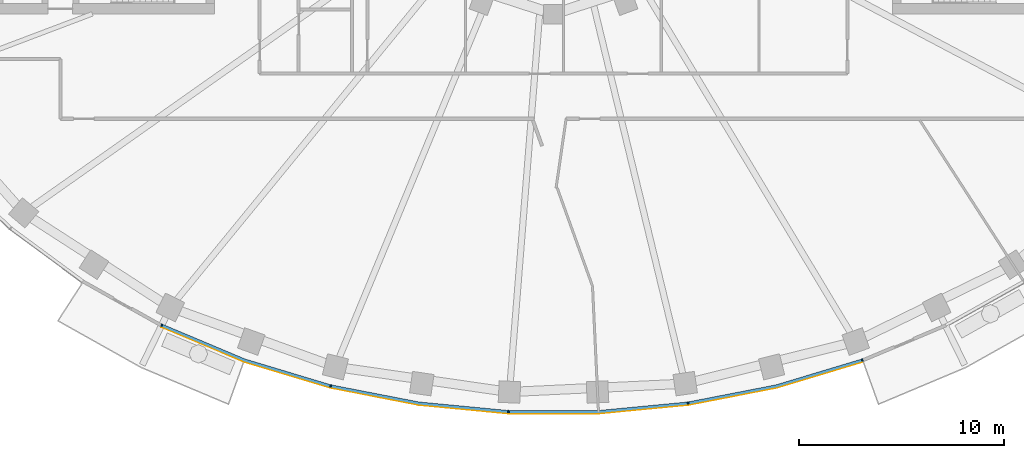
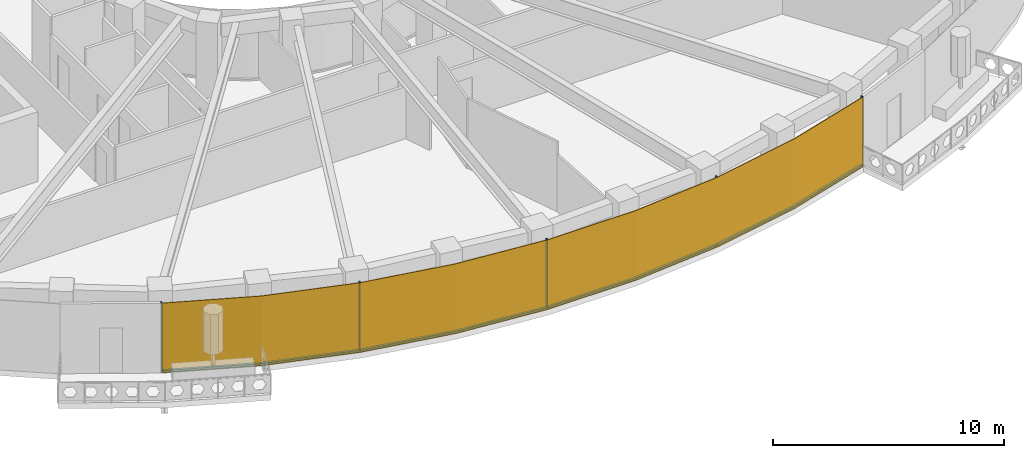
# One storey, part 9 of 15: 9 members, 1 curtain wall.
"""IFC4 building model written with IfcOpenShell, lengths in metres."""

from ifc_helpers import new_model, si_unit, direction, frame, origin, origin_2d, place, context, subcontext, project, spatial, polyline, rectangle, outline, extrude, material, layer, layer_set, material_profile, profile_set, type_object, element, aggregate, save


model = new_model("IFC4")

# Units and contexts
model_context = context("Model", 3, precision=1e-05, world=origin(), true_north=direction((0.0, 1.0)))
body_context = subcontext(model_context, "Body", "Model", "MODEL_VIEW")
ifc_project = project(units=[si_unit("LENGTHUNIT", "METRE"), si_unit("AREAUNIT", "SQUARE_METRE"), si_unit("VOLUMEUNIT", "CUBIC_METRE"), si_unit("PLANEANGLEUNIT", "RADIAN"), si_unit("MASSUNIT", "GRAM", prefix="KILO")], contexts=[model_context])

# Member
ifc_material_1 = material(Name="Aluminium 6063-T6 black anodised", Category="aluminium")
ifc_material_profile = material_profile(ifc_material_1, rectangle(XDim=0.1201171875, YDim=0.06005859375, at=origin_2d()), Name="120x60")
ifc_profile_set = profile_set([ifc_material_profile], Name="Aluminium 6063-T6 black anodised")
member_type_1 = type_object("IfcMemberType", Name="ENV-MULLION-A-120", PredefinedType="MULLION", material=ifc_profile_set)
site_placement = place(None, origin())
building_placement = place(site_placement, origin())
storey_placement = place(building_placement, frame((0.0, 0.0, 277.5)))
member_1_placement = place(storey_placement, frame((-19.06787109375, -23.6474609375, 0.0), z_axis=(0.0, 0.0, 1.0), x_axis=(0.439237769837, 0.898370848563, 0.0)))
member_1 = element("IfcMember", 1, at=member_1_placement, type_object=member_type_1, Name="Mullion A radial 31", PredefinedType="MULLION", context=body_context, shape_type="SweptSolid", body=[
    extrude(rectangle(XDim=0.1201171875, YDim=0.06005859375, at=origin_2d()), origin(), (0.0, 0.0, 1.0), 3.699951171875),
])

member_2_placement = place(storey_placement, frame((-10.84326171875, -26.60498046875, 0.0), z_axis=(0.0, 0.0, 1.0), x_axis=(0.239799081534, 0.970822538106, 0.0)))
member_2 = element("IfcMember", 2, at=member_2_placement, type_object=member_type_1, Name="Mullion A radial 33", PredefinedType="MULLION", context=body_context, shape_type="SweptSolid", body=[
    extrude(rectangle(XDim=0.1201171875, YDim=0.06005859375, at=origin_2d()), origin(), (0.0, 0.0, 1.0), 3.699951171875),
])

member_3_placement = place(storey_placement, frame((-2.188720703125, -27.856201171875, 0.0), z_axis=(0.0, 0.0, 1.0), x_axis=(0.047557873581, 0.998868484166, 0.0)))
member_3 = element("IfcMember", 3, at=member_3_placement, type_object=member_type_1, Name="Mullion A radial 35", PredefinedType="MULLION", context=body_context, shape_type="SweptSolid", body=[
    extrude(rectangle(XDim=0.1201171875, YDim=0.06005859375, at=origin_2d()), origin(), (0.0, 0.0, 1.0), 3.699951171875),
])

member_4_placement = place(storey_placement, frame((6.54638671875, -27.440185546875, 0.0), z_axis=(0.0, 0.0, 1.0), x_axis=(-0.143082012705, 0.989710835366, 0.0)))
member_4 = element("IfcMember", 4, at=member_4_placement, type_object=member_type_1, Name="Mullion A radial 37", PredefinedType="MULLION", context=body_context, shape_type="SweptSolid", body=[
    extrude(rectangle(XDim=0.1201171875, YDim=0.06005859375, at=origin_2d()), origin(), (0.0, 0.0, 1.0), 3.699951171875),
])

member_5_placement = place(storey_placement, frame((15.0341796875, -25.34375, 0.0), z_axis=(0.0, 0.0, 1.0), x_axis=(-0.338379256581, 0.941009818608, 0.0)))
member_5 = element("IfcMember", 5, at=member_5_placement, type_object=member_type_1, Name="Mullion A radial 39", PredefinedType="MULLION", context=body_context, shape_type="SweptSolid", body=[
    extrude(rectangle(XDim=0.1201171875, YDim=0.06005859375, at=origin_2d()), origin(), (0.0, 0.0, 1.0), 3.699951171875),
])

ifc_material_2 = material(Name="Aluminium 6063-T6 black anodised", Category="aluminium")
member_type_2 = type_object("IfcMemberType", Name="ENV-TRANSOM-A", PredefinedType="USERDEFINED", material=ifc_material_2)
member_6_placement = place(storey_placement, origin())
member_6 = element("IfcMember", 6, at=member_6_placement, type_object=member_type_2, Name="Transom A radial 31-33", ObjectType="TRANSOM", PredefinedType="USERDEFINED", context=body_context, shape_type="SweptSolid", body=[
    extrude(outline(polyline([(-19.068359375, -23.71240234375), (-15.054443359375, -25.400146484375), (-10.884521484375, -26.655029296875), (-10.855712890625, -26.53857421875), (-15.013916015625, -25.287109375), (-19.015380859375, -23.604248046875), (-19.068359375, -23.71240234375)])), origin(), (0.0, 0.0, 1.0), 0.10009765625),
])

member_7_placement = place(storey_placement, origin())
member_7 = element("IfcMember", 7, at=member_7_placement, type_object=member_type_2, Name="Transom A radial 33-35", ObjectType="TRANSOM", PredefinedType="USERDEFINED", context=body_context, shape_type="SweptSolid", body=[
    extrude(outline(polyline([(-10.830078125, -26.66845703125), (-6.55517578125, -27.49951171875), (-2.219482421875, -27.913330078125), (-2.2138671875, -27.793212890625), (-6.537841796875, -27.380615234375), (-10.80126953125, -26.552001953125), (-10.830078125, -26.66845703125)])), origin(), (0.0, 0.0, 1.0), 0.10009765625),
])

member_8_placement = place(storey_placement, origin())
member_8 = element("IfcMember", 8, at=member_8_placement, type_object=member_type_2, Name="Transom A radial 35-37", ObjectType="TRANSOM", PredefinedType="USERDEFINED", context=body_context, shape_type="SweptSolid", body=[
    extrude(outline(polyline([(-2.163818359375, -27.916015625), (2.191650390625, -27.916015625), (6.527099609375, -27.502197265625), (6.510009765625, -27.38330078125), (2.185791015625, -27.7958984375), (-2.157958984375, -27.7958984375), (-2.163818359375, -27.916015625)])), origin(), (0.0, 0.0, 1.0), 0.10009765625),
])

member_9_placement = place(storey_placement, origin())
member_9 = element("IfcMember", 9, at=member_9_placement, type_object=member_type_2, Name="Transom A radial 37-39", ObjectType="TRANSOM", PredefinedType="USERDEFINED", context=body_context, shape_type="SweptSolid", body=[
    extrude(outline(polyline([(6.58251953125, -27.494140625), (10.857666015625, -26.6630859375), (15.027587890625, -25.408203125), (14.987060546875, -25.295166015625), (10.828857421875, -26.54638671875), (6.5654296875, -27.375244140625), (6.58251953125, -27.494140625)])), origin(), (0.0, 0.0, 1.0), 0.10009765625),
])

# Site, building, storey
site = spatial("IfcSite", under=ifc_project, at=site_placement, CompositionType="ELEMENT")
building = spatial("IfcBuilding", under=site, at=building_placement, Name="Noorbagh Ring Tower", CompositionType="ELEMENT")
storey = spatial("IfcBuildingStorey", under=building, at=storey_placement, Name="L59", CompositionType="ELEMENT", Elevation=277.5)

# Curtain wall
ifc_material_3 = material(Name="Glass dark tinted laminated", Category="glass")
ifc_layer = layer(ifc_material_3, 0.031982421875)
ifc_layer_set = layer_set([ifc_layer], Name="Glass dark tinted laminated")
curtain_wall_type = type_object("IfcCurtainWallType", Name="ENV-CW-A", PredefinedType="NOTDEFINED", material=ifc_layer_set)
curtain_wall_placement = place(storey_placement, origin())
curtain_wall = element("IfcCurtainWall", 10, at=curtain_wall_placement, inside=storey, type_object=curtain_wall_type, Name="Curtain wall A R31", PredefinedType="NOTDEFINED", context=body_context, shape_type="SweptSolid", body=[
    extrude(outline(polyline([(-19.08984375, -23.738037109375), (-15.065185546875, -25.430419921875), (-10.865234375, -26.6943359375), (-6.559814453125, -27.53125), (-2.193115234375, -27.947998046875), (2.193115234375, -27.947998046875), (6.559814453125, -27.53125), (10.865234375, -26.6943359375), (15.046142578125, -25.43603515625), (15.035400390625, -25.406005859375), (10.857666015625, -26.6630859375), (6.55517578125, -27.49951171875), (2.191650390625, -27.916015625), (-2.191650390625, -27.916015625), (-6.55517578125, -27.49951171875), (-10.857666015625, -26.6630859375), (-15.054443359375, -25.400146484375), (-19.07568359375, -23.709228515625), (-19.08984375, -23.738037109375)])), origin(), (0.0, 0.0, 1.0), 3.699951171875),
])

aggregate(curtain_wall, [member_1, member_2, member_3, member_4, member_5, member_6, member_7, member_8, member_9])

save(model, "model.ifc")
